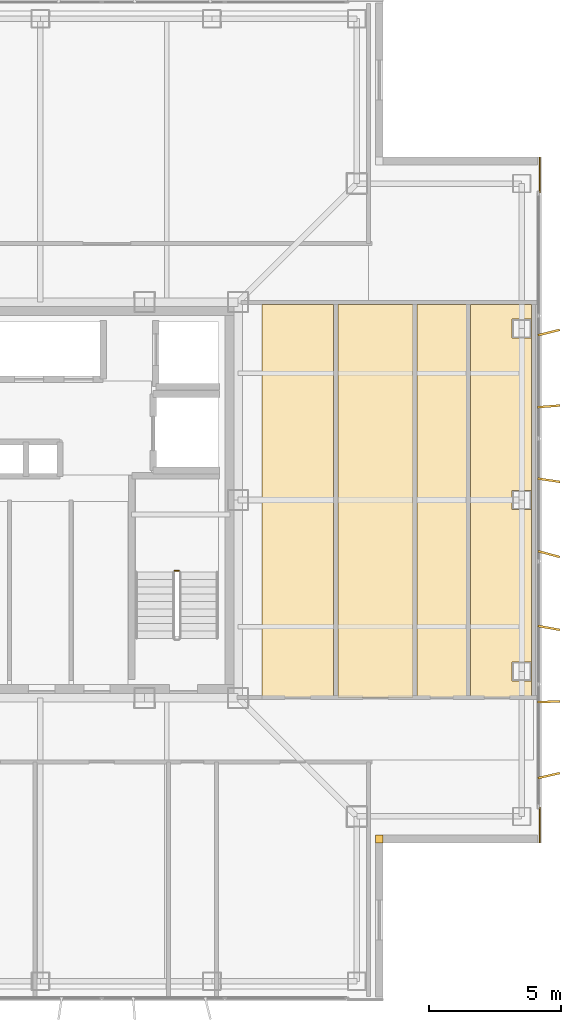
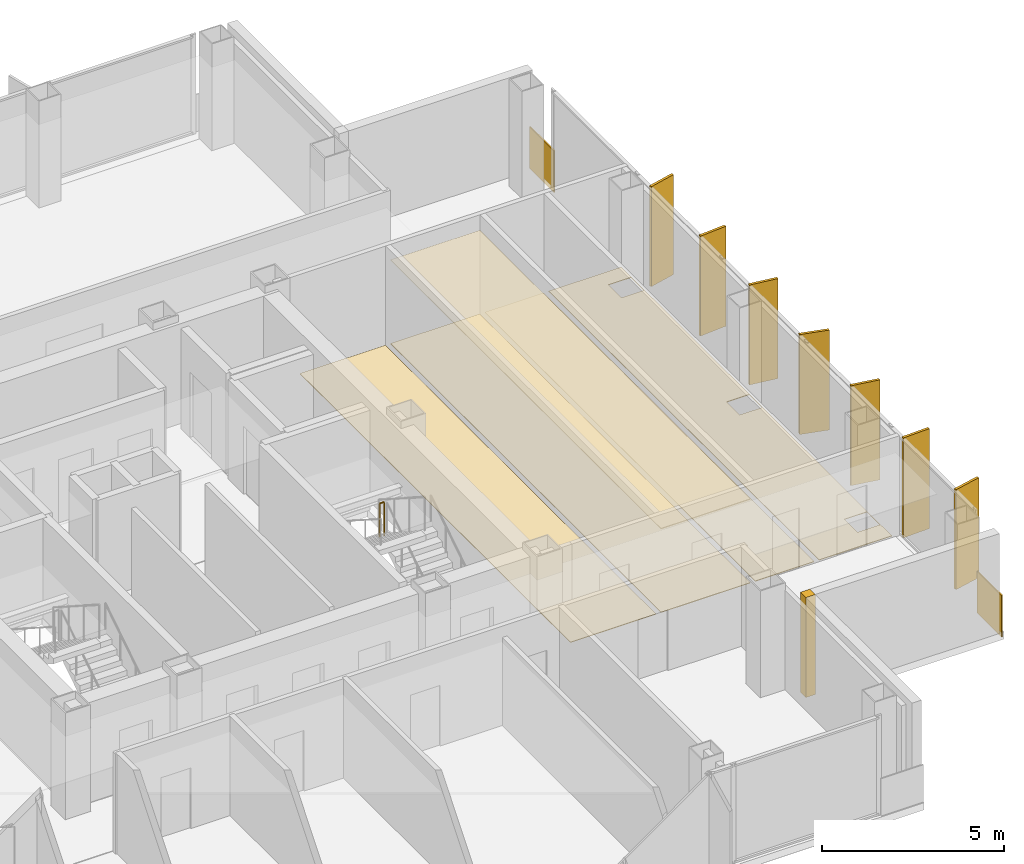
# One storey, part 14 of 15: 8 coverings, 7 shading devices, 1 railing.
"""IFC4 building model written with IfcOpenShell, lengths in metres."""

from ifc_helpers import new_model, si_unit, direction, frame, frame_2d, origin, origin_2d, place, context, subcontext, project, spatial, polyline, rectangle, circle, outline, extrude, material, layer, layer_set, type_object, element, save


model = new_model("IFC4")

# Units and contexts
model_context = context("Model", 3, precision=1e-05, world=origin(), true_north=direction((0.0, 1.0)))
body_context = subcontext(model_context, "Body", "Model", "MODEL_VIEW")
ifc_project = project(units=[si_unit("LENGTHUNIT", "METRE"), si_unit("AREAUNIT", "SQUARE_METRE"), si_unit("VOLUMEUNIT", "CUBIC_METRE"), si_unit("PLANEANGLEUNIT", "RADIAN"), si_unit("MASSUNIT", "GRAM", prefix="KILO")], contexts=[model_context])

# Site, building, storey
site_placement = place(None, origin())
site = spatial("IfcSite", under=ifc_project, at=site_placement, CompositionType="ELEMENT")
building_placement = place(site_placement, origin())
building = spatial("IfcBuilding", under=site, at=building_placement, Name="Trevonay Congress Spire", CompositionType="ELEMENT")
storey_placement = place(building_placement, frame((0.0, 0.0, 293.60009765625)))
storey = spatial("IfcBuildingStorey", under=building, at=storey_placement, Name="L77", CompositionType="ELEMENT", Elevation=293.60009765625)

# Coverings
ifc_material_1 = material(Name="Acoustic Mineral Fibre Board", Category="gypsum")
ifc_layer_1 = layer(ifc_material_1, 0.02490234375, Name="Acoustic Mineral Fibre Board")
ifc_layer_set_1 = layer_set([ifc_layer_1], Name="Acoustic Mineral Fibre Board")
covering_type_1 = type_object("IfcCoveringType", Name="COV-CEIL-ACOUSTIC", PredefinedType="CEILING", material=ifc_layer_set_1)
covering_1_placement = place(storey_placement, frame((0.0, 0.0, 2.809814453125)))
element("IfcCovering", 1, at=covering_1_placement, inside=storey, type_object=covering_type_1, Name="L77 Butler Servery Kitchen acoustic suspended ceiling", PredefinedType="CEILING", context=body_context, shape_type="SweptSolid", body=[
    extrude(outline(polyline([(11.280029296875, -7.47998046875), (14.1201171875, -7.47998046875), (14.1201171875, 7.419921875), (11.280029296875, 7.419921875), (11.280029296875, -7.47998046875)])), origin(), (0.0, 0.0, 1.0), 0.025146484375),
])
ifc_material_2 = material(Name="Polished Granite Floor Tile", Category="masonry")
ifc_layer_2 = layer(ifc_material_2, 0.02001953125, Name="Polished Granite Floor Tile")
ifc_layer_set_2 = layer_set([ifc_layer_2], Name="Polished Granite Floor Tile")
covering_type_2 = type_object("IfcCoveringType", Name="COV-FLOOR-STONE", PredefinedType="FLOORING", material=ifc_layer_set_2)
covering_2_placement = place(storey_placement, origin())
element("IfcCovering", 2, at=covering_2_placement, inside=storey, type_object=covering_type_2, Name="L77 Banquet Glassware Linen Store floor finish", PredefinedType="FLOORING", context=body_context, shape_type="SweptSolid", body=[
    extrude(outline(polyline([(8.39990234375, -7.47998046875), (11.1201171875, -7.47998046875), (11.1201171875, 7.419921875), (8.39990234375, 7.419921875), (8.39990234375, -7.47998046875)])), origin(), (0.0, 0.0, 1.0), 0.02001953125),
])
covering_3_placement = place(storey_placement, origin())
element("IfcCovering", 3, at=covering_3_placement, inside=storey, type_object=covering_type_2, Name="L77 Butler Servery Kitchen floor finish", PredefinedType="FLOORING", context=body_context, shape_type="SweptSolid", body=[
    extrude(outline(polyline([(11.280029296875, -7.47998046875), (14.1201171875, -7.47998046875), (14.1201171875, 7.419921875), (11.280029296875, 7.419921875), (11.280029296875, -7.47998046875)])), origin(), (0.0, 0.0, 1.0), 0.02001953125),
])
covering_4_placement = place(storey_placement, origin())
element("IfcCovering", 4, at=covering_4_placement, inside=storey, type_object=covering_type_2, Name="L77 Female Restroom WC floor finish", PredefinedType="FLOORING", context=body_context, shape_type="SweptSolid", body=[
    extrude(outline(polyline([(14.280029296875, -7.47998046875), (16.14990234375, -7.47998046875), (16.14990234375, 7.419921875), (14.280029296875, 7.419921875), (14.280029296875, -7.47998046875)])), origin(), (0.0, 0.0, 1.0), 0.02001953125),
])
covering_5_placement = place(storey_placement, origin())
element("IfcCovering", 5, at=covering_5_placement, inside=storey, type_object=covering_type_2, Name="L77 Floor Supplies and Copy Room floor finish", PredefinedType="FLOORING", context=body_context, shape_type="SweptSolid", body=[
    extrude(outline(polyline([(16.31005859375, 7.419921875), (18.6201171875, 7.419921875), (18.6201171875, -7.47998046875), (16.31005859375, -7.47998046875), (16.31005859375, 7.419921875)]), holes=[polyline([(17.889892578125, -6.860107421875), (18.610107421875, -6.860107421875), (18.610107421875, -6.139892578125), (17.889892578125, -6.139892578125), (17.889892578125, -6.860107421875)]), polyline([(17.889892578125, 0.360107421875), (17.889892578125, -0.360107421875), (18.610107421875, -0.360107421875), (18.610107421875, 0.360107421875), (17.889892578125, 0.360107421875)]), polyline([(17.889892578125, 6.860107421875), (17.889892578125, 6.139892578125), (18.610107421875, 6.139892578125), (18.610107421875, 6.860107421875), (17.889892578125, 6.860107421875)])]), origin(), (0.0, 0.0, 1.0), 0.02001953125),
])
ifc_material_3 = material(Name="Pale Anodised Aluminium EN AW-6063-T6", Category="aluminium")
ifc_layer_3 = layer(ifc_material_3, 0.0400390625, Name="Pale Anodised Aluminium EN AW-6063-T6")
ifc_layer_set_3 = layer_set([ifc_layer_3], Name="Pale Anodised Aluminium EN AW-6063-T6")
covering_type_3 = type_object("IfcCoveringType", Name="COV-SPANDREL-PALE-METAL", PredefinedType="CLADDING", material=ifc_layer_set_3)
covering_6_placement = place(storey_placement, origin())
element("IfcCovering", 6, at=covering_6_placement, inside=storey, type_object=covering_type_3, Name="L77 SE re-entrant notch corner closure trim", PredefinedType="CLADDING", context=body_context, shape_type="SweptSolid", body=[
    extrude(outline(polyline([(12.699951171875, -13.0), (13.0, -13.0), (13.0, -12.699951171875), (12.699951171875, -12.699951171875), (12.699951171875, -13.0)])), origin(), (0.0, 0.0, 1.0), 3.35986328125),
])
for number, where, z_axis, x_axis, name in (
    (7, (18.93994140625, -11.64990234375, -0.150146484375), (0.0, 0.0, 1.0), (0.0, -1.0, 0.0), "L77 SE corner pier spandrel cladding 1"),
    (8, (18.93994140625, 11.64990234375, -0.150146484375), (0.0, 0.0, 1.0), (0.0, 1.0, 0.0), "L77 NE corner pier spandrel cladding 1"),
):
    element("IfcCovering", number, at=place(storey_placement, frame(where, z_axis=z_axis, x_axis=x_axis)), inside=storey, type_object=covering_type_3, Name=name, PredefinedType="CLADDING", context=body_context, shape_type="SweptSolid", body=[
        extrude(rectangle(XDim=1.35009765625, YDim=0.0400390625, at=frame_2d((0.675048828125, 0.0))), origin(), (0.0, 0.0, 1.0), 1.400146484375),
    ])

# Railing
railing_type = type_object("IfcRailingType", Name="RAL-STAIR-GUARD-110", PredefinedType="GUARDRAIL", material=ifc_material_3)
railing_placement = place(storey_placement, frame((5.25, -2.679931640625, 1.7998046875)))
element("IfcRailing", 9, at=railing_placement, inside=storey, type_object=railing_type, Name="L77 ST-2 stair guard 2", PredefinedType="GUARDRAIL", context=body_context, shape_type="SweptSolid", body=[
    extrude(circle(Radius=0.02392578125, at=origin_2d()), frame((0.0, 0.0, 1.1259765625), z_axis=(-1.0, 0.0, 0.0), x_axis=(0.0, -1.0, 0.0)), (0.0, 0.0, 1.0), 0.14990234375),
    extrude(circle(Radius=0.02099609375, at=origin_2d()), origin(), (0.0, 0.0, 1.0), 1.101806640625),
    extrude(circle(Radius=0.02099609375, at=origin_2d()), frame((-0.14990234375, 0.0, 0.0)), (0.0, 0.0, 1.0), 1.101806640625),
])

# Shading devices
shading_device_type = type_object("IfcShadingDeviceType", Name="SHD-FIN-Z4-PALE-METAL", PredefinedType="USERDEFINED", material=ifc_material_3)
for number, where, z_axis, x_axis, name in (
    (10, (19.280029296875, -10.449951171875, 0.0), (0.0, 0.0, 1.0), (-0.224780991261, 0.97440931131, 0.0), "L77 E vertical pale-metal solar fin 1"),
    (11, (19.280029296875, -7.64990234375, 0.0), (0.0, 0.0, 1.0), (-0.039085416795, 0.999235873152, 0.0), "L77 E vertical pale-metal solar fin 2"),
    (12, (19.280029296875, -4.85009765625, 0.0), (0.0, 0.0, 1.0), (0.17708474032, 0.984195607969, 0.0), "L77 E vertical pale-metal solar fin 3"),
    (13, (19.280029296875, -2.050048828125, 0.0), (0.0, 0.0, 1.0), (0.258144638645, 0.966106280664, 0.0), "L77 E vertical pale-metal solar fin 4"),
    (14, (19.280029296875, 0.75, 0.0), (0.0, 0.0, 1.0), (0.146946275799, 0.989144474801, 0.0), "L77 E vertical pale-metal solar fin 5"),
    (15, (19.280029296875, 3.550048828125, 0.0), (0.0, 0.0, 1.0), (-0.077067060513, 0.997025911491, 0.0), "L77 E vertical pale-metal solar fin 6"),
    (16, (19.280029296875, 6.35009765625, 0.0), (0.0, 0.0, 1.0), (-0.241244442494, 0.970464383152, 0.0), "L77 E vertical pale-metal solar fin 7"),
):
    element("IfcShadingDevice", number, at=place(storey_placement, frame(where, z_axis=z_axis, x_axis=x_axis)), inside=storey, type_object=shading_device_type, Name=name, ObjectType="SOLAR FIN", PredefinedType="USERDEFINED", context=body_context, shape_type="SweptSolid", body=[
        extrude(rectangle(XDim=0.080078125, YDim=0.85009765625, at=origin_2d()), origin(), (0.0, 0.0, 1.0), 3.360107421875),
    ])

save(model, "model.ifc")
